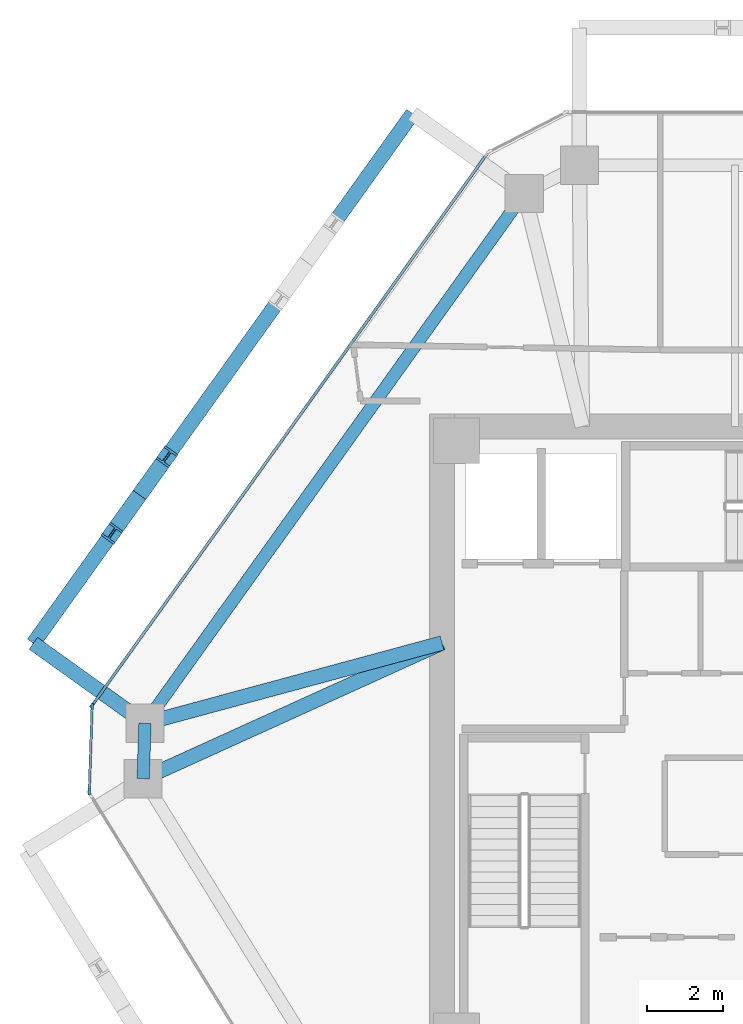
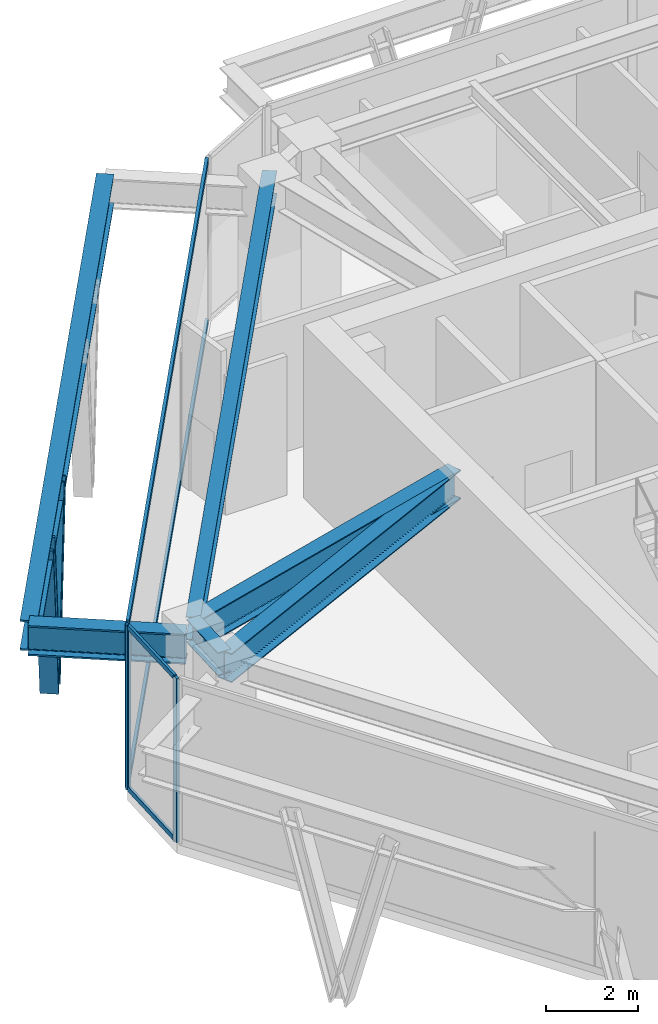
# One storey, part 4 of 12: 9 members, 6 beams, 2 elements without a shape of their own.
"""IFC4 building model written with IfcOpenShell, lengths in metres."""

from ifc_helpers import new_model, si_unit, direction, frame, origin, origin_2d, place, context, subcontext, project, spatial, rectangle, i_section, extrude, source, transform, mapped, material, layer, layer_set, material_profile, profile_set, type_object, type_shapes, element, aggregate, save


model = new_model("IFC4")

# Units and contexts
model_context = context("Model", 3, precision=1e-05, world=origin(), true_north=direction((0.0, 1.0)))
body_context = subcontext(model_context, "Body", "Model", "MODEL_VIEW")
ifc_project = project(units=[si_unit("LENGTHUNIT", "METRE"), si_unit("AREAUNIT", "SQUARE_METRE"), si_unit("VOLUMEUNIT", "CUBIC_METRE"), si_unit("PLANEANGLEUNIT", "RADIAN"), si_unit("MASSUNIT", "GRAM", prefix="KILO")], contexts=[model_context])

# Site, building, storey
site_placement = place(None, origin())
site = spatial("IfcSite", under=ifc_project, at=site_placement, CompositionType="ELEMENT")
building_placement = place(site_placement, origin())
building = spatial("IfcBuilding", under=site, at=building_placement, Name="Durnholm Broadcast Tower", CompositionType="ELEMENT")
storey_placement = place(building_placement, frame((0.0, 0.0, 162.60009765625)))
storey = spatial("IfcBuildingStorey", under=building, at=storey_placement, Name="L44", CompositionType="ELEMENT", Elevation=162.60009765625)

# Beams
ifc_material_1 = material(Name="Steel ASTM A992 Grade 50", Category="steel")
ifc_material_profile_1 = material_profile(ifc_material_1, i_section(OverallWidth=0.385009765625, OverallDepth=0.802978515625, WebThickness=0.023681640625, FlangeThickness=0.0419921875, FilletRadius=0.032958984375, at=origin_2d()), Name="W30X261")
ifc_profile_set_1 = profile_set([ifc_material_profile_1], Name="Steel ASTM A992 Grade 50")
beam_type_1 = type_object("IfcBeamType", Name="BM-EXO-TIE", PredefinedType="USERDEFINED", material=ifc_profile_set_1)
shared_shape_1 = source(origin(), body_context, "Body", "SweptSolid", [
    extrude(i_section(OverallWidth=0.385009765625, OverallDepth=0.802978515625, WebThickness=0.023681640625, FlangeThickness=0.0419921875, FilletRadius=0.032958984375, at=origin_2d()), origin(), (0.0, 0.0, 1.0), 3.455810546875),
])
beam_1_placement = place(storey_placement, frame((-18.076904296875, 0.4794921875, 3.6083984375), z_axis=(-0.813112485828, 0.582106592808, 0.0), x_axis=(-0.582106592808, -0.813112485828, 0.0)))
element("IfcBeam", 1, at=beam_1_placement, inside=storey, type_object=beam_type_1, Name="L44 exoskeleton stand-off tie bracket F5.2", ObjectType="GIRDER", PredefinedType="USERDEFINED", context=body_context, shape_type="MappedRepresentation", body=[
    mapped(shared_shape_1, transform((0.0, 0.0, 0.0), x_axis=(1.0, 0.0, 0.0), y_axis=(0.0, 1.0, 0.0), z_axis=(0.0, 0.0, 1.0), scale=1.0)),
])
ifc_material_profile_2 = material_profile(ifc_material_1, i_section(OverallWidth=0.3251953125, OverallDepth=0.6162109375, WebThickness=0.013916015625, FlangeThickness=0.021484375, FilletRadius=0.02783203125, at=origin_2d()), Name="W24X117")
ifc_profile_set_2 = profile_set([ifc_material_profile_2], Name="Steel ASTM A992 Grade 50")
beam_type_2 = type_object("IfcBeamType", Name="STL-SP-W24X117", PredefinedType="SPANDREL", material=ifc_profile_set_2)
shared_shape_2 = source(origin(), body_context, "Body", "SweptSolid", [
    extrude(i_section(OverallWidth=0.3251953125, OverallDepth=0.6162109375, WebThickness=0.013916015625, FlangeThickness=0.021484375, FilletRadius=0.02783203125, at=origin_2d()), origin(), (0.0, 0.0, 1.0), 1.452880859375),
])
beam_2_placement = place(storey_placement, frame((-18.009033203125, -1.056640625, 4.036865234375), z_axis=(0.03377359304, 0.999429509477, 0.0), x_axis=(-0.999429509477, 0.03377359304, 0.0)))
element("IfcBeam", 2, at=beam_2_placement, inside=storey, type_object=beam_type_2, Name="L44 perimeter spandrel girder 02", PredefinedType="SPANDREL", context=body_context, shape_type="MappedRepresentation", body=[
    mapped(shared_shape_2, transform((0.0, 0.0, 0.0), x_axis=(1.0, 0.0, 0.0), y_axis=(0.0, 1.0, 0.0), z_axis=(0.0, 0.0, 1.0), scale=1.0)),
])
shared_shape_3 = source(origin(), body_context, "Body", "SweptSolid", [
    extrude(i_section(OverallWidth=0.3251953125, OverallDepth=0.6162109375, WebThickness=0.013916015625, FlangeThickness=0.021484375, FilletRadius=0.02783203125, at=origin_2d()), origin(), (0.0, 0.0, 1.0), 17.07177734375),
])
type_shapes(beam_type_2, [shared_shape_2, shared_shape_3])
beam_3_placement = place(storey_placement, frame((-17.9599609375, 0.3955078125, 4.036865234375), z_axis=(0.582142843258, 0.813086532937, 0.0), x_axis=(-0.813086532937, 0.582142843258, 0.0)))
element("IfcBeam", 3, at=beam_3_placement, inside=storey, type_object=beam_type_2, Name="L44 perimeter spandrel girder 03", PredefinedType="SPANDREL", context=body_context, shape_type="MappedRepresentation", body=[
    mapped(shared_shape_3, transform((0.0, 0.0, 0.0), x_axis=(1.0, 0.0, 0.0), y_axis=(0.0, 1.0, 0.0), z_axis=(0.0, 0.0, 1.0), scale=1.0)),
])
shared_shape_4 = source(origin(), body_context, "Body", "SweptSolid", [
    extrude(i_section(OverallWidth=0.385009765625, OverallDepth=0.802978515625, WebThickness=0.023681640625, FlangeThickness=0.0419921875, FilletRadius=0.032958984375, at=origin_2d()), origin(), (0.0, 0.0, 1.0), 17.07177734375),
])
type_shapes(beam_type_1, [shared_shape_1, shared_shape_4])
beam_4_placement = place(storey_placement, frame((-10.948974609375, 16.3720703125, 3.6083984375), z_axis=(-0.582133388739, -0.813093301974, 0.0), x_axis=(0.813093301974, -0.582133388739, 0.0)))
element("IfcBeam", 4, at=beam_4_placement, inside=storey, type_object=beam_type_1, Name="L44 exoskeleton collector spandrel F5", PredefinedType="SPANDREL", context=body_context, shape_type="MappedRepresentation", body=[
    mapped(shared_shape_4, transform((0.0, 0.0, 0.0), x_axis=(1.0, 0.0, 0.0), y_axis=(0.0, 1.0, 0.0), z_axis=(0.0, 0.0, 1.0), scale=1.0)),
])
ifc_material_profile_3 = material_profile(ifc_material_1, i_section(OverallWidth=0.380615234375, OverallDepth=0.773193359375, WebThickness=0.0166015625, FlangeThickness=0.027099609375, FilletRadius=0.032958984375, at=origin_2d()), Name="W30X173")
ifc_profile_set_3 = profile_set([ifc_material_profile_3], Name="Steel ASTM A992 Grade 50")
beam_type_3 = type_object("IfcBeamType", Name="STL-GR-W30X173", PredefinedType="USERDEFINED", material=ifc_profile_set_3)
shared_shape_5 = source(origin(), body_context, "Body", "SweptSolid", [
    extrude(i_section(OverallWidth=0.380615234375, OverallDepth=0.773193359375, WebThickness=0.0166015625, FlangeThickness=0.027099609375, FilletRadius=0.032958984375, at=origin_2d()), origin(), (0.0, 0.0, 1.0), 8.603515625),
])
beam_5_placement = place(storey_placement, frame((-10.175048828125, 2.5, 3.958251953125), z_axis=(-0.910552971728, -0.413392411248, 0.0), x_axis=(0.413392411248, -0.910552971728, 0.0)))
element("IfcBeam", 5, at=beam_5_placement, inside=storey, type_object=beam_type_3, Name="L44 radial primary floor girder 02", ObjectType="GIRDER", PredefinedType="USERDEFINED", context=body_context, shape_type="MappedRepresentation", body=[
    mapped(shared_shape_5, transform((0.0, 0.0, 0.0), x_axis=(1.0, 0.0, 0.0), y_axis=(0.0, 1.0, 0.0), z_axis=(0.0, 0.0, 1.0), scale=1.0)),
])
shared_shape_6 = source(origin(), body_context, "Body", "SweptSolid", [
    extrude(i_section(OverallWidth=0.380615234375, OverallDepth=0.773193359375, WebThickness=0.0166015625, FlangeThickness=0.027099609375, FilletRadius=0.032958984375, at=origin_2d()), origin(), (0.0, 0.0, 1.0), 8.064453125),
])
type_shapes(beam_type_3, [shared_shape_5, shared_shape_6])
beam_6_placement = place(storey_placement, frame((-10.175048828125, 2.5, 3.958251953125), z_axis=(-0.96534896552, -0.260962401066, 0.0), x_axis=(0.260962401066, -0.96534896552, 0.0)))
element("IfcBeam", 6, at=beam_6_placement, inside=storey, type_object=beam_type_3, Name="L44 radial primary floor girder 03", ObjectType="GIRDER", PredefinedType="USERDEFINED", context=body_context, shape_type="MappedRepresentation", body=[
    mapped(shared_shape_6, transform((0.0, 0.0, 0.0), x_axis=(1.0, 0.0, 0.0), y_axis=(0.0, 1.0, 0.0), z_axis=(0.0, 0.0, 1.0), scale=1.0)),
])

# Members
ifc_material_2 = material(Name="Steel ASTM A913 Grade 65", Category="steel")
ifc_material_profile_4 = material_profile(ifc_material_2, i_section(OverallWidth=0.412109375, OverallDepth=0.434814453125, WebThickness=0.035888671875, FlangeThickness=0.057373046875, FilletRadius=0.030517578125, at=origin_2d()), Name="W14X311")
ifc_profile_set_4 = profile_set([ifc_material_profile_4], Name="Steel ASTM A913 Grade 65")
member_type_1 = type_object("IfcMemberType", Name="STL-DG-W14X311", PredefinedType="BRACE", material=ifc_profile_set_4)
shared_shape_7 = source(origin(), body_context, "Body", "SweptSolid", [
    extrude(i_section(OverallWidth=0.412109375, OverallDepth=0.434814453125, WebThickness=0.035888671875, FlangeThickness=0.057373046875, FilletRadius=0.030517578125, at=origin_2d()), origin(), (0.0, 0.0, 1.0), 4.83984375),
])
type_shapes(member_type_1, [shared_shape_7])
for number, where, z_axis, x_axis, name in (
    (7, (-18.1044921875, 6.3779296875, -1.071533203125), (0.148406193474, 0.207274319845, 0.966960680727), (-0.813077820009, 0.582155012526, 0.0), "L44 stand-off diagrid brace F5.D2.1"),
    (8, (-18.1044921875, 6.3779296875, -1.071533203125), (-0.148356859937, -0.207275871295, 0.966967918438), (0.813171482985, -0.58202417412, 0.0), "L44 stand-off diagrid brace F5.D2.2"),
):
    element("IfcMember", number, at=place(storey_placement, frame(where, z_axis=z_axis, x_axis=x_axis)), inside=storey, type_object=member_type_1, Name=name, PredefinedType="BRACE", context=body_context, shape_type="MappedRepresentation", body=[
        mapped(shared_shape_7, transform((0.0, 0.0, 0.0), x_axis=(1.0, 0.0, 0.0), y_axis=(0.0, 1.0, 0.0), z_axis=(0.0, 0.0, 1.0), scale=1.0)),
    ])

# Curtain wall, members
ifc_material_3 = material(Name="Aluminium and Solar Control IGU", Category="aluminium")
ifc_layer_1 = layer(ifc_material_3, 0.1650390625)
ifc_layer_set_1 = layer_set([ifc_layer_1], Name="Aluminium and Solar Control IGU")
curtain_wall_type_1 = type_object("IfcCurtainWallType", Name="CW-SYS-5", PredefinedType="NOTDEFINED", material=ifc_layer_set_1)
curtain_wall_1_placement = place(storey_placement, origin())
curtain_wall_1 = element("IfcCurtainWall", 9, at=curtain_wall_1_placement, inside=storey, type_object=curtain_wall_type_1, Name="L44 curtain wall CW-CORNER CW-L44-CRN-01", PredefinedType="NOTDEFINED")
ifc_material_4 = material(Name="Aluminium 6063-T6", Category="aluminium")
ifc_material_profile_5 = material_profile(ifc_material_4, rectangle(XDim=0.06494140625, YDim=0.1298828125, at=origin_2d()), Name="CWT65X130")
ifc_profile_set_5 = profile_set([ifc_material_profile_5], Name="Aluminium 6063-T6")
member_type_2 = type_object("IfcMemberType", Name="CW-SYS-5-TRN", PredefinedType="USERDEFINED", material=ifc_profile_set_5)
shared_shape_8 = source(origin(), body_context, "Body", "SweptSolid", [
    extrude(rectangle(XDim=0.06494140625, YDim=0.1298828125, at=origin_2d()), origin(), (0.0, 0.0, 1.0), 2.169921875),
])
type_shapes(member_type_2, [shared_shape_8])
member_1_placement = place(storey_placement, frame((-19.42041015625, -1.367431640625, 0.032470703125), z_axis=(0.033865512339, 0.999426399028, 0.0), x_axis=(-0.999426399028, 0.033865512339, 0.0)))
member_1 = element("IfcMember", 10, at=member_1_placement, type_object=member_type_2, Name="CW-CORNER transom 1.1", ObjectType="TRANSOM", PredefinedType="USERDEFINED", context=body_context, shape_type="MappedRepresentation", body=[
    mapped(shared_shape_8, transform((0.0, 0.0, 0.0), x_axis=(1.0, 0.0, 0.0), y_axis=(0.0, 1.0, 0.0), z_axis=(0.0, 0.0, 1.0), scale=1.0)),
])
member_2_placement = place(storey_placement, frame((-19.42041015625, -1.367431640625, 4.327392578125), z_axis=(0.033865512339, 0.999426399028, 0.0), x_axis=(-0.999426399028, 0.033865512339, 0.0)))
member_2 = element("IfcMember", 11, at=member_2_placement, type_object=member_type_2, Name="CW-CORNER transom 1.2", ObjectType="TRANSOM", PredefinedType="USERDEFINED", context=body_context, shape_type="MappedRepresentation", body=[
    mapped(shared_shape_8, transform((0.0, 0.0, 0.0), x_axis=(1.0, 0.0, 0.0), y_axis=(0.0, 1.0, 0.0), z_axis=(0.0, 0.0, 1.0), scale=1.0)),
])

ifc_layer_2 = layer(ifc_material_3, 0.219970703125)
ifc_layer_set_2 = layer_set([ifc_layer_2], Name="Aluminium and Solar Control IGU")
curtain_wall_type_2 = type_object("IfcCurtainWallType", Name="CW-SYS-6", PredefinedType="NOTDEFINED", material=ifc_layer_set_2)
curtain_wall_2_placement = place(storey_placement, origin())
curtain_wall_2 = element("IfcCurtainWall", 12, at=curtain_wall_2_placement, inside=storey, type_object=curtain_wall_type_2, Name="L44 curtain wall CW-AMENITY CW-L44-F02", PredefinedType="NOTDEFINED")
ifc_material_profile_6 = material_profile(ifc_material_4, rectangle(XDim=0.074951171875, YDim=0.179931640625, at=origin_2d()), Name="CWT75X180")
ifc_profile_set_6 = profile_set([ifc_material_profile_6], Name="Aluminium 6063-T6")
member_type_3 = type_object("IfcMemberType", Name="CW-SYS-6-TRN", PredefinedType="USERDEFINED", material=ifc_profile_set_6)
shared_shape_9 = source(origin(), body_context, "Body", "SweptSolid", [
    extrude(rectangle(XDim=0.074951171875, YDim=0.179931640625, at=origin_2d()), origin(), (0.0, 0.0, 1.0), 17.683837890625),
])
type_shapes(member_type_3, [shared_shape_9])
member_3_placement = place(storey_placement, frame((-19.301025390625, 0.92724609375, 0.037353515625), z_axis=(0.582141565096, 0.813087448057, 0.0), x_axis=(-0.813087448057, 0.582141565096, 0.0)))
member_3 = element("IfcMember", 13, at=member_3_placement, type_object=member_type_3, Name="CW-AMENITY transom 1.1", ObjectType="TRANSOM", PredefinedType="USERDEFINED", context=body_context, shape_type="MappedRepresentation", body=[
    mapped(shared_shape_9, transform((0.0, 0.0, 0.0), x_axis=(1.0, 0.0, 0.0), y_axis=(0.0, 1.0, 0.0), z_axis=(0.0, 0.0, 1.0), scale=1.0)),
])
member_4_placement = place(storey_placement, frame((-19.301025390625, 0.92724609375, 4.322509765625), z_axis=(0.582141565096, 0.813087448057, 0.0), x_axis=(-0.813087448057, 0.582141565096, 0.0)))
member_4 = element("IfcMember", 14, at=member_4_placement, type_object=member_type_3, Name="CW-AMENITY transom 1.2", ObjectType="TRANSOM", PredefinedType="USERDEFINED", context=body_context, shape_type="MappedRepresentation", body=[
    mapped(shared_shape_9, transform((0.0, 0.0, 0.0), x_axis=(1.0, 0.0, 0.0), y_axis=(0.0, 1.0, 0.0), z_axis=(0.0, 0.0, 1.0), scale=1.0)),
])

# Member
ifc_material_profile_7 = material_profile(ifc_material_4, rectangle(XDim=0.06494140625, YDim=0.1650390625, at=origin_2d()), Name="CWM65X165")
ifc_profile_set_7 = profile_set([ifc_material_profile_7], Name="Aluminium 6063-T6")
member_type_4 = type_object("IfcMemberType", Name="CW-SYS-5-MUL", PredefinedType="MULLION", material=ifc_profile_set_7)
shared_shape_10 = source(origin(), body_context, "Body", "SweptSolid", [
    extrude(rectangle(XDim=0.06494140625, YDim=0.1650390625, at=origin_2d()), origin(), (0.0, 0.0, 1.0), 4.35986328125),
])
type_shapes(member_type_4, [shared_shape_10])
member_5_placement = place(storey_placement, frame((-19.421630859375, -1.39990234375, 0.0), z_axis=(0.0, 0.0, 1.0), x_axis=(-0.999424798802, 0.033912704699, 0.0)))
member_5 = element("IfcMember", 15, at=member_5_placement, type_object=member_type_4, Name="CW-CORNER mullion 1", PredefinedType="MULLION", context=body_context, shape_type="MappedRepresentation", body=[
    mapped(shared_shape_10, transform((0.0, 0.0, 0.0), x_axis=(1.0, 0.0, 0.0), y_axis=(0.0, 1.0, 0.0), z_axis=(0.0, 0.0, 1.0), scale=1.0)),
])

member_6_placement = place(storey_placement, frame((-19.345703125, 0.833740234375, 0.0), z_axis=(0.0, 0.0, 1.0), x_axis=(-0.999424798802, 0.033912704699, 0.0)))
member_6 = element("IfcMember", 16, at=member_6_placement, type_object=member_type_4, Name="CW-CORNER mullion 2", PredefinedType="MULLION", context=body_context, shape_type="MappedRepresentation", body=[
    mapped(shared_shape_10, transform((0.0, 0.0, 0.0), x_axis=(1.0, 0.0, 0.0), y_axis=(0.0, 1.0, 0.0), z_axis=(0.0, 0.0, 1.0), scale=1.0)),
])

aggregate(curtain_wall_1, [member_5, member_6, member_1, member_2])

ifc_material_profile_8 = material_profile(ifc_material_4, rectangle(XDim=0.074951171875, YDim=0.219970703125, at=origin_2d()), Name="CWM75X220")
ifc_profile_set_8 = profile_set([ifc_material_profile_8], Name="Aluminium 6063-T6")
member_type_5 = type_object("IfcMemberType", Name="CW-SYS-6-MUL", PredefinedType="MULLION", material=ifc_profile_set_8)
shared_shape_11 = source(origin(), body_context, "Body", "SweptSolid", [
    extrude(rectangle(XDim=0.074951171875, YDim=0.219970703125, at=origin_2d()), origin(), (0.0, 0.0, 1.0), 4.35986328125),
])
type_shapes(member_type_5, [shared_shape_11])
member_7_placement = place(storey_placement, frame((-19.32275390625, 0.896728515625, 0.0), z_axis=(0.0, 0.0, 1.0), x_axis=(-0.813089262696, 0.582139030549, 0.0)))
member_7 = element("IfcMember", 17, at=member_7_placement, type_object=member_type_5, Name="CW-AMENITY mullion 1", PredefinedType="MULLION", context=body_context, shape_type="MappedRepresentation", body=[
    mapped(shared_shape_11, transform((0.0, 0.0, 0.0), x_axis=(1.0, 0.0, 0.0), y_axis=(0.0, 1.0, 0.0), z_axis=(0.0, 0.0, 1.0), scale=1.0)),
])

aggregate(curtain_wall_2, [member_7, member_3, member_4])

save(model, "model.ifc")
